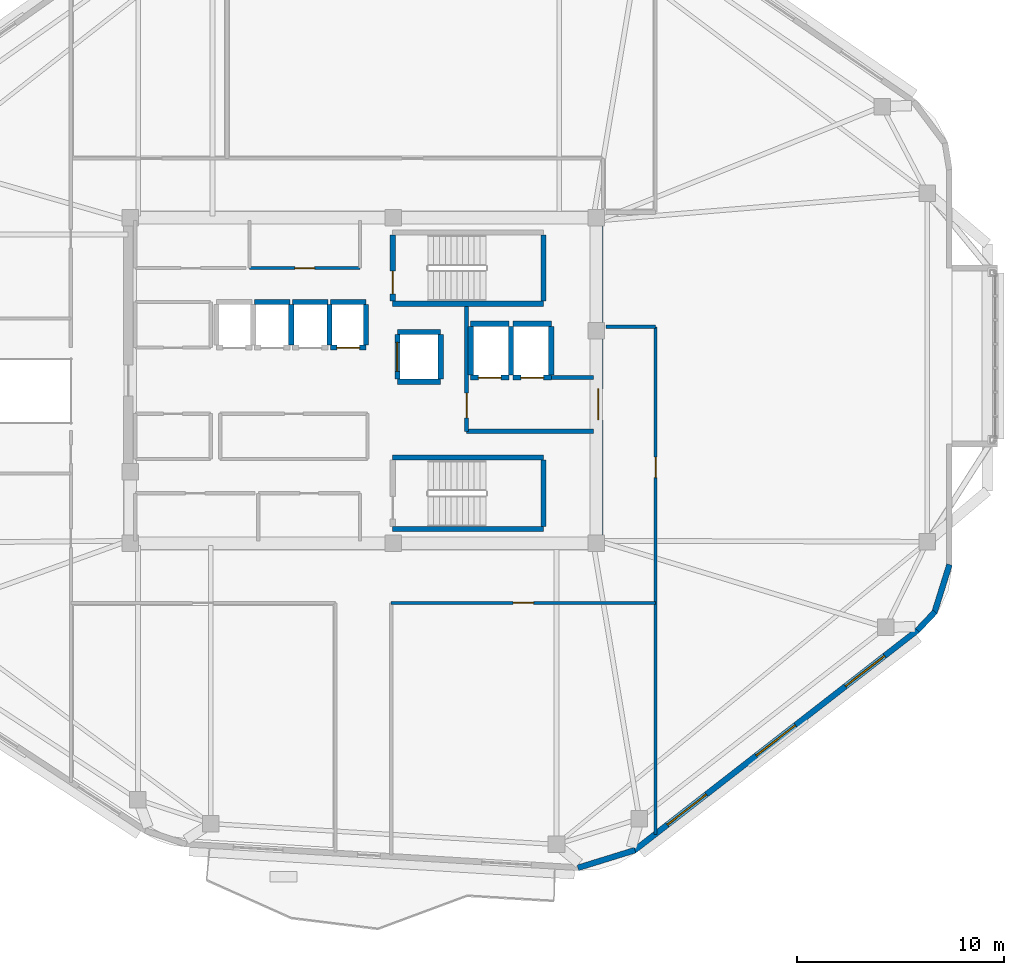
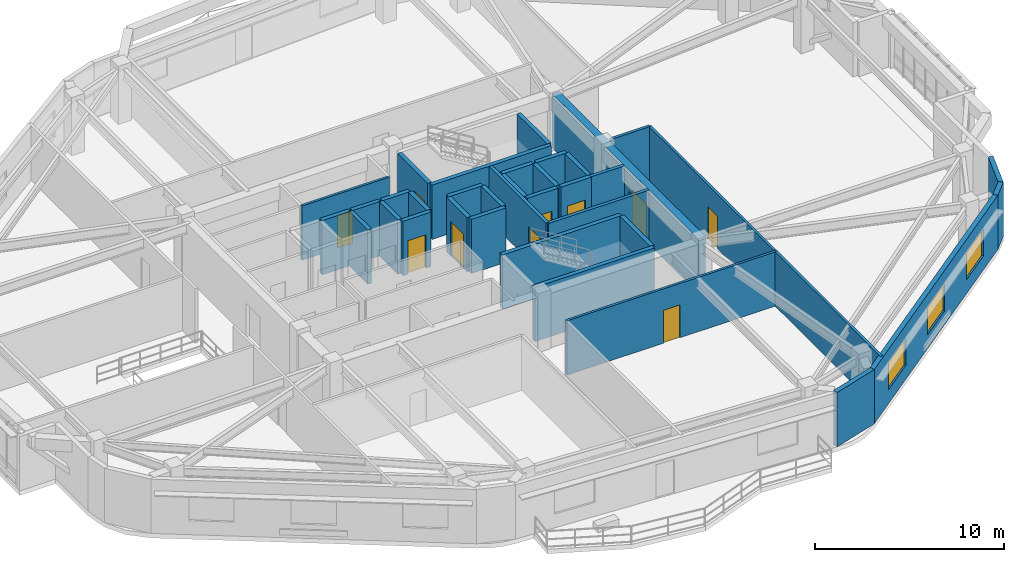
# One storey, part 12 of 16: 36 walls, 10 doors, 3 windows, 13 openings.
"""IFC4 building model written with IfcOpenShell, lengths in metres."""

import ifcopenshell
import ifcopenshell.guid

model = None  # the IFC model being written
_history = None  # IfcOwnerHistory: only IFC2X3 demands one
_inside = {}  # id of a spatial element -> (the spatial element, [elements in it])
_under = {}  # id of a project, library or spatial element -> (it, [spatial elements below it])
_declared = {}  # id of a project -> (the project, [libraries it declares])
_typed = {}  # id of a type object -> (the type object, [elements of that type])
_made_of = {}  # id of a material, layer set ... -> (it, [elements and type objects made of it])


def new_model(schema):
    """Start an empty IFC model of exactly this schema.

    Asked for "IFC4X3", IfcOpenShell would pick the latest addendum, in which some entities
    have other attributes; the version numbers below select the first issue.
    IFC2X3 requires an IfcOwnerHistory on every rooted entity: one is made here for all.
    """
    global model, _history
    if schema == "IFC4X3":
        model = ifcopenshell.file(schema_version=(4, 3, 0, 0))
    else:
        model = ifcopenshell.file(schema=schema)
    _inside.clear()
    _under.clear()
    _declared.clear()
    _typed.clear()
    _made_of.clear()
    _history = None
    if model.schema == "IFC2X3":
        org = make("IfcOrganization", Name="unknown")
        user = make(
            "IfcPersonAndOrganization",
            ThePerson=make("IfcPerson", FamilyName="unknown"),
            TheOrganization=org,
        )
        app = make(
            "IfcApplication",
            ApplicationDeveloper=org,
            Version="unknown",
            ApplicationFullName="unknown",
            ApplicationIdentifier="unknown",
        )
        _history = make(
            "IfcOwnerHistory",
            OwningUser=user,
            OwningApplication=app,
            ChangeAction="ADDED",
            CreationDate=0,
        )
    return model


def make(cls, **values):
    """One entity of the class cls with the attributes given. An attribute that is None is left unset."""
    return model.create_entity(
        cls, **{name: value for name, value in values.items() if value is not None}
    )


def rooted(cls, **values):
    """An entity with a GlobalId (a new one), such as an element, a storey or a relation."""
    return make(cls, GlobalId=ifcopenshell.guid.new(), OwnerHistory=_history, **values)


def si_unit(unit_type, name, prefix=None):
    """IfcSIUnit, for example si_unit("LENGTHUNIT", "METRE", prefix="MILLI")."""
    return make("IfcSIUnit", UnitType=unit_type, Prefix=prefix, Name=name)


def assignment(units):
    """IfcUnitAssignment: the units of a project."""
    return None if units is None else make("IfcUnitAssignment", Units=units)


def point(xyz):
    """IfcCartesianPoint."""
    return None if xyz is None else make("IfcCartesianPoint", Coordinates=xyz)


def direction(xyz):
    """IfcDirection."""
    return None if xyz is None else make("IfcDirection", DirectionRatios=xyz)


def frame(location, z_axis=None, x_axis=None):
    """IfcAxis2Placement3D, a coordinate frame: its origin and axes. An axis left out is left unset."""
    return make(
        "IfcAxis2Placement3D",
        Location=point(location),
        Axis=direction(z_axis),
        RefDirection=direction(x_axis),
    )


def frame_2d(location, x_axis=None):
    """IfcAxis2Placement2D, a coordinate frame in the plane: its origin and x axis."""
    return make(
        "IfcAxis2Placement2D", Location=point(location), RefDirection=direction(x_axis)
    )


def origin():
    """The frame at (0, 0, 0) with its axes left unset."""
    return frame((0.0, 0.0, 0.0))


def place(relative_to, where):
    """IfcLocalPlacement: puts the frame where relative to a parent placement (None: the world)."""
    return make(
        "IfcLocalPlacement", PlacementRelTo=relative_to, RelativePlacement=where
    )


def context(
    kind, dimensions, precision=None, world=None, true_north=None, identifier=None
):
    """IfcGeometricRepresentationContext, for example the 3D "Model" context."""
    return make(
        "IfcGeometricRepresentationContext",
        ContextIdentifier=identifier,
        ContextType=kind,
        CoordinateSpaceDimension=dimensions,
        Precision=precision,
        WorldCoordinateSystem=world,
        TrueNorth=true_north,
    )


def subcontext(parent, identifier, kind, view, scale=None):
    """IfcGeometricRepresentationSubContext, for example "Body" below "Model"."""
    return make(
        "IfcGeometricRepresentationSubContext",
        ContextIdentifier=identifier,
        ContextType=kind,
        ParentContext=parent,
        TargetScale=scale,
        TargetView=view,
    )


def project(units=None, contexts=None):
    """IfcProject with its units and contexts."""
    return rooted(
        "IfcProject",
        Name="project",
        RepresentationContexts=contexts,
        UnitsInContext=assignment(units),
    )


def spatial(cls, under=None, at=None, **own):
    """A site, building, storey or space (cls), placed at a placement, below another one or the project."""
    s = rooted(cls, ObjectPlacement=at, **own)
    if under is not None:
        _under.setdefault(under.id(), (under, []))[1].append(s)
    return s


def profile(cls, at=None, kind="AREA", **sizes):
    """A parametric profile (cls). Its sizes go by their IFC names, for example OverallWidth=200.0."""
    return make(cls, ProfileType=kind, Position=at, **sizes)


def rectangle(**sizes):
    """IfcRectangleProfileDef."""
    return profile("IfcRectangleProfileDef", **sizes)


def extrude(swept, where, along, depth):
    """IfcExtrudedAreaSolid: the profile swept, set in the frame where, extruded along a direction by depth."""
    return make(
        "IfcExtrudedAreaSolid",
        SweptArea=swept,
        Position=where,
        ExtrudedDirection=direction(along),
        Depth=depth,
    )


def shape(context_of_items, identifier, shape_type, items):
    """IfcShapeRepresentation: the items that make up one representation, for example the "Body"."""
    return make(
        "IfcShapeRepresentation",
        ContextOfItems=context_of_items,
        RepresentationIdentifier=identifier,
        RepresentationType=shape_type,
        Items=items,
    )


def material(Name=None, Category=None):
    """IfcMaterial."""
    return make("IfcMaterial", Name=Name, Category=Category)


def layer(
    of_material, thickness, ventilated=None, Name=None, Category=None, Priority=None
):
    """IfcMaterialLayer: one layer of a wall or slab, of a material (None: an air gap)."""
    return make(
        "IfcMaterialLayer",
        Material=of_material,
        LayerThickness=thickness,
        IsVentilated=ventilated,
        Name=Name,
        Category=Category,
        Priority=Priority,
    )


def layer_set(layers, Name=None):
    """IfcMaterialLayerSet."""
    return make("IfcMaterialLayerSet", MaterialLayers=layers, LayerSetName=Name)


def made_of(thing, what):
    """Note that an element or type object is made of a material, layer set ...; save() writes the relation."""
    if what is not None:
        _made_of.setdefault(what.id(), (what, []))[1].append(thing)
    return thing


def type_object(cls, material=None, **own):
    """A type object (cls), such as IfcWallType, which elements share."""
    return made_of(rooted(cls, **own), material)


def element(
    cls,
    number,
    at=None,
    inside=None,
    cuts=None,
    type_object=None,
    material=None,
    context=None,
    identifier="Body",
    shape_type=None,
    held_by="IfcProductDefinitionShape",
    body=None,
    shapes=None,
    **own,
):
    """One element of the class cls, such as IfcWall. Its Tag is "e" and its number.

    at: its placement. inside: the storey or other place that contains it. cuts: it is an
    opening in that element (IfcRelVoidsElement). A single representation is given by context,
    identifier, shape_type and body (its items); several are given by shapes. held_by: the class
    of the entity that holds the representations. save() writes the other relations.
    """
    e = rooted(cls, Tag="e%d" % number, ObjectPlacement=at, **own)
    if body is not None:
        shapes = [shape(context, identifier, shape_type, body)]
    if shapes is not None:
        e.Representation = make(held_by, Representations=shapes)
    if inside is not None:
        _inside.setdefault(inside.id(), (inside, []))[1].append(e)
    if cuts is not None:
        rooted(
            "IfcRelVoidsElement", RelatingBuildingElement=cuts, RelatedOpeningElement=e
        )
    if type_object is not None:
        _typed.setdefault(type_object.id(), (type_object, []))[1].append(e)
    return made_of(e, material)


def fill(opening, filler):
    """IfcRelFillsElement: the door or window that sits in an opening."""
    return rooted(
        "IfcRelFillsElement",
        RelatingOpeningElement=opening,
        RelatedBuildingElement=filler,
    )


def aggregate(whole, parts):
    """IfcRelAggregates: a whole, such as a stair, and the parts it consists of."""
    return rooted("IfcRelAggregates", RelatingObject=whole, RelatedObjects=parts)


def save(model, path):
    """Write the relations noted so far, then the file.

    IfcRelAggregates (storeys below a building ...), IfcRelContainedInSpatialStructure (elements
    in a storey), IfcRelDefinesByType, IfcRelAssociatesMaterial and IfcRelDeclares: one each for
    every whole, place, type object, material and project.
    """
    for whole, parts in _under.values():
        aggregate(whole, parts)
    for where, things in _inside.values():
        rooted(
            "IfcRelContainedInSpatialStructure",
            RelatedElements=things,
            RelatingStructure=where,
        )
    for kind, things in _typed.values():
        rooted("IfcRelDefinesByType", RelatedObjects=things, RelatingType=kind)
    for what, things in _made_of.values():
        rooted("IfcRelAssociatesMaterial", RelatedObjects=things, RelatingMaterial=what)
    for by, libraries in _declared.values():
        rooted("IfcRelDeclares", RelatingContext=by, RelatedDefinitions=libraries)
    model.write(path)


model = new_model("IFC4")

# Units and contexts
model_context = context("Model", 3, precision=1e-05, world=origin(), true_north=direction((0.0, 1.0)))
body_context = subcontext(model_context, "Body", "Model", "MODEL_VIEW")
ifc_project = project(units=[si_unit("LENGTHUNIT", "METRE"), si_unit("AREAUNIT", "SQUARE_METRE"), si_unit("VOLUMEUNIT", "CUBIC_METRE"), si_unit("PLANEANGLEUNIT", "RADIAN"), si_unit("MASSUNIT", "GRAM", prefix="KILO")], contexts=[model_context])

# Site, building, storey
site_placement = place(None, origin())
site = spatial("IfcSite", under=ifc_project, at=site_placement, CompositionType="ELEMENT")
building_placement = place(site_placement, origin())
building = spatial("IfcBuilding", under=site, at=building_placement, Name="Zulverin Broadcast Headquarters", CompositionType="ELEMENT")
storey_placement = place(building_placement, frame((0.0, 0.0, 228.800048828125)))
storey = spatial("IfcBuildingStorey", under=building, at=storey_placement, Name="L58", CompositionType="ELEMENT", Elevation=228.800048828125)

# Wall, opening, door
ifc_material_1 = material(Name="Concrete C50/60", Category="concrete")
ifc_layer_1 = layer(ifc_material_1, 0.449951171875, Name="Concrete C50/60", Category="concrete")
ifc_layer_set_1 = layer_set([ifc_layer_1], Name="Concrete C50/60")
wall_type_1 = type_object("IfcWallType", Name="WL-CORE-450", PredefinedType="SHEAR", material=ifc_layer_set_1)
wall_1_placement = place(storey_placement, frame((48.375, 17.449951171875, 0.0), z_axis=(0.0, 0.0, 1.0), x_axis=(0.0, 1.0, 0.0)))
wall_1 = element("IfcWall", 1, at=wall_1_placement, inside=storey, type_object=wall_type_1, Name="L58 Core East Shear Wall", PredefinedType="SHEAR", context=body_context, shape_type="SweptSolid", body=[
    extrude(rectangle(XDim=15.5, YDim=0.449951171875, at=frame_2d((7.75, 0.0))), origin(), (0.0, 0.0, 1.0), 3.510009765625),
])
opening_1_placement = place(wall_1_placement, frame((5.85009765625, 0.0, 0.0)))
opening_1 = element("IfcOpeningElement", 2, at=opening_1_placement, cuts=wall_1, Name="Opening D-L58-CE1", PredefinedType="OPENING", context=body_context, shape_type="SweptSolid", body=[
    extrude(rectangle(XDim=1.5, YDim=2.14990234375, at=frame_2d((0.75, 1.074951171875))), frame((0.0, 0.23486328125, 0.0), z_axis=(0.0, -1.0, 0.0), x_axis=(1.0, 0.0, 0.0)), (0.0, 0.0, 1.0), 0.469970703125),
])
ifc_material_2 = material(Name="Fire-rated glazed steel frame", Category="steel")
door_type_1 = type_object("IfcDoorType", Name="DR-COR-1500", OperationType="DOUBLE_DOOR_SINGLE_SWING", PredefinedType="DOOR", material=ifc_material_2)
door_1_placement = place(opening_1_placement, origin())
door_1 = element("IfcDoor", 3, at=door_1_placement, inside=storey, type_object=door_type_1, Name="L58 Firefighting Lobby East Corridor Door", OperationType="DOUBLE_DOOR_SINGLE_SWING", OverallHeight=2.14990234375, OverallWidth=1.5, PredefinedType="DOOR", context=body_context, shape_type="SweptSolid", body=[
    extrude(rectangle(XDim=1.5, YDim=2.14990234375, at=frame_2d((0.75, 1.074951171875))), frame((0.0, 0.02490234375, 0.0), z_axis=(0.0, -1.0, 0.0), x_axis=(1.0, 0.0, 0.0)), (0.0, 0.0, 1.0), 0.050048828125),
])
fill(opening_1, door_1)

# Wall, openings, windows
ifc_material_3 = material(Name="Insulated pale-metal clad concrete spandrel C40/50", Category="concrete")
ifc_layer_2 = layer(ifc_material_3, 0.280029296875, Name="Insulated pale-metal clad concrete spandrel C40/50", Category="concrete")
ifc_layer_set_2 = layer_set([ifc_layer_2], Name="Insulated pale-metal clad concrete spandrel C40/50")
wall_type_2 = type_object("IfcWallType", Name="WL-EXT-280", PredefinedType="STANDARD", material=ifc_layer_set_2)
wall_2_placement = place(storey_placement, frame((50.10400390625, 2.458984375, 0.0), z_axis=(0.0, 0.0, 1.0), x_axis=(0.789464857485, 0.613795763097, 0.0)))
wall_2 = element("IfcWall", 4, at=wall_2_placement, inside=storey, type_object=wall_type_2, Name="L58 Pale-Metal Clad Spandrel Wall 2", PredefinedType="STANDARD", context=body_context, shape_type="SweptSolid", body=[
    extrude(rectangle(XDim=17.387451171875, YDim=0.280029296875, at=frame_2d((8.69384765625, 0.0))), origin(), (0.0, 0.0, 1.0), 3.510009765625),
])
opening_2_placement = place(wall_2_placement, frame((2.03125, 0.0, 0.89990234375)))
opening_2 = element("IfcOpeningElement", 5, at=opening_2_placement, cuts=wall_2, Name="Opening W-L58-E21", PredefinedType="OPENING", context=body_context, shape_type="SweptSolid", body=[
    extrude(rectangle(XDim=2.39990234375, YDim=1.75, at=frame_2d((1.199951171875, 0.875))), frame((0.0, 0.14990234375, 0.0), z_axis=(0.0, -1.0, 0.0), x_axis=(1.0, 0.0, 0.0)), (0.0, 0.0, 1.0), 0.300048828125),
])
opening_3_placement = place(wall_2_placement, frame((7.49365234375, 0.0, 0.89990234375)))
opening_3 = element("IfcOpeningElement", 6, at=opening_3_placement, cuts=wall_2, Name="Opening W-L58-E22", PredefinedType="OPENING", context=body_context, shape_type="SweptSolid", body=[
    extrude(rectangle(XDim=2.39990234375, YDim=1.75, at=frame_2d((1.199951171875, 0.875))), frame((0.0, 0.14990234375, 0.0), z_axis=(0.0, -1.0, 0.0), x_axis=(1.0, 0.0, 0.0)), (0.0, 0.0, 1.0), 0.300048828125),
])
opening_4_placement = place(wall_2_placement, frame((12.956298828125, 0.0, 0.89990234375)))
opening_4 = element("IfcOpeningElement", 7, at=opening_4_placement, cuts=wall_2, Name="Opening W-L58-E23", PredefinedType="OPENING", context=body_context, shape_type="SweptSolid", body=[
    extrude(rectangle(XDim=2.39990234375, YDim=1.75, at=frame_2d((1.199951171875, 0.875))), frame((0.0, 0.14990234375, 0.0), z_axis=(0.0, -1.0, 0.0), x_axis=(1.0, 0.0, 0.0)), (0.0, 0.0, 1.0), 0.300048828125),
])
ifc_material_4 = material(Name="Pale anodized aluminium frame with solar-control low-E double glazing", Category="aluminium")
window_type = type_object("IfcWindowType", Name="WIN-RIB-2400", PartitioningType="SINGLE_PANEL", PredefinedType="WINDOW", material=ifc_material_4)
window_1_placement = place(opening_2_placement, origin())
window_1 = element("IfcWindow", 8, at=window_1_placement, inside=storey, type_object=window_type, Name="L58 Ribbon Glazing Window 2 1", OverallHeight=1.75, OverallWidth=2.39990234375, PartitioningType="SINGLE_PANEL", PredefinedType="WINDOW", context=body_context, shape_type="SweptSolid", body=[
    extrude(rectangle(XDim=2.39990234375, YDim=1.75, at=frame_2d((1.199951171875, 0.875))), frame((0.0, 0.030029296875, 0.0), z_axis=(0.0, -1.0, 0.0), x_axis=(1.0, 0.0, 0.0)), (0.0, 0.0, 1.0), 0.06005859375),
])
fill(opening_2, window_1)
window_2_placement = place(opening_3_placement, origin())
window_2 = element("IfcWindow", 9, at=window_2_placement, inside=storey, type_object=window_type, Name="L58 Ribbon Glazing Window 2 2", OverallHeight=1.75, OverallWidth=2.39990234375, PartitioningType="SINGLE_PANEL", PredefinedType="WINDOW", context=body_context, shape_type="SweptSolid", body=[
    extrude(rectangle(XDim=2.39990234375, YDim=1.75, at=frame_2d((1.199951171875, 0.875))), frame((0.0, 0.030029296875, 0.0), z_axis=(0.0, -1.0, 0.0), x_axis=(1.0, 0.0, 0.0)), (0.0, 0.0, 1.0), 0.06005859375),
])
fill(opening_3, window_2)
window_3_placement = place(opening_4_placement, origin())
window_3 = element("IfcWindow", 10, at=window_3_placement, inside=storey, type_object=window_type, Name="L58 Ribbon Glazing Window 2 3", OverallHeight=1.75, OverallWidth=2.39990234375, PartitioningType="SINGLE_PANEL", PredefinedType="WINDOW", context=body_context, shape_type="SweptSolid", body=[
    extrude(rectangle(XDim=2.39990234375, YDim=1.75, at=frame_2d((1.199951171875, 0.875))), frame((0.0, 0.030029296875, 0.0), z_axis=(0.0, -1.0, 0.0), x_axis=(1.0, 0.0, 0.0)), (0.0, 0.0, 1.0), 0.06005859375),
])
fill(opening_4, window_3)

# Walls
wall_3_placement = place(storey_placement, frame((47.38623046875, 1.626220703125, 0.0), z_axis=(0.0, 0.0, 1.0), x_axis=(0.955189316149, 0.29599555793, 0.0)))
element("IfcWall", 11, at=wall_3_placement, inside=storey, type_object=wall_type_2, Name="L58 Wind-Shaped Corner Spandrel Wall 1-1", PredefinedType="STANDARD", context=body_context, shape_type="SweptSolid", body=[
    extrude(rectangle(XDim=2.891845703125, YDim=0.280029296875, at=frame_2d((1.44580078125, 0.0))), origin(), (0.0, 0.0, 1.0), 3.510009765625),
])
wall_4_placement = place(storey_placement, frame((63.81494140625, 13.1171875, 0.0), z_axis=(0.0, 0.0, 1.0), x_axis=(0.687733716128, 0.725963040176, 0.0)))
element("IfcWall", 12, at=wall_4_placement, inside=storey, type_object=wall_type_2, Name="L58 Wind-Shaped Corner Spandrel Wall 2-1", PredefinedType="STANDARD", context=body_context, shape_type="SweptSolid", body=[
    extrude(rectangle(XDim=1.239013671875, YDim=0.280029296875, at=frame_2d((0.61962890625, 0.0))), origin(), (0.0, 0.0, 1.0), 3.510009765625),
])
wall_5_placement = place(storey_placement, frame((64.635009765625, 13.962158203125, 0.0), z_axis=(0.0, 0.0, 1.0), x_axis=(0.298649578722, 0.954362839348, 0.0)))
element("IfcWall", 13, at=wall_5_placement, inside=storey, type_object=wall_type_2, Name="L58 Wind-Shaped Corner Spandrel Wall 2-2", PredefinedType="STANDARD", context=body_context, shape_type="SweptSolid", body=[
    extrude(rectangle(XDim=2.44921875, YDim=0.280029296875, at=frame_2d((1.224609375, 0.0))), origin(), (0.0, 0.0, 1.0), 3.510009765625),
])

# Wall, opening, door
ifc_material_5 = material(Name="Concrete C40/50", Category="concrete")
ifc_layer_3 = layer(ifc_material_5, 0.199951171875, Name="Concrete C40/50", Category="concrete")
ifc_layer_set_3 = layer_set([ifc_layer_3], Name="Concrete C40/50")
wall_type_3 = type_object("IfcWallType", Name="WL-FFL-200", PredefinedType="SOLIDWALL", material=ifc_layer_set_3)
wall_6_placement = place(storey_placement, frame((42.0, 22.75, 0.0), z_axis=(0.0, 0.0, 1.0), x_axis=(0.0, 1.0, 0.0)))
wall_6 = element("IfcWall", 14, at=wall_6_placement, inside=storey, type_object=wall_type_3, Name="L58 Firefighting Lift Lobby West Wall", PredefinedType="SOLIDWALL", context=body_context, shape_type="SweptSolid", body=[
    extrude(rectangle(XDim=6.050048828125, YDim=0.199951171875, at=frame_2d((3.02490234375, 0.0))), origin(), (0.0, 0.0, 1.0), 3.510009765625),
])
opening_5_placement = place(wall_6_placement, frame((0.64990234375, 0.0, 0.0)))
opening_5 = element("IfcOpeningElement", 15, at=opening_5_placement, cuts=wall_6, Name="Opening D-L58-FFLW", PredefinedType="OPENING", context=body_context, shape_type="SweptSolid", body=[
    extrude(rectangle(XDim=1.199951171875, YDim=2.14990234375, at=frame_2d((0.60009765625, 1.074951171875))), frame((0.0, 0.10986328125, 0.0), z_axis=(0.0, -1.0, 0.0), x_axis=(1.0, 0.0, 0.0)), (0.0, 0.0, 1.0), 0.219970703125),
])
ifc_material_6 = material(Name="Fire-rated steel leaf and frame", Category="steel")
door_type_2 = type_object("IfcDoorType", Name="DR-FFL-1200", OperationType="SINGLE_SWING_RIGHT", PredefinedType="DOOR", material=ifc_material_6)
door_2_placement = place(opening_5_placement, origin())
door_2 = element("IfcDoor", 16, at=door_2_placement, inside=storey, type_object=door_type_2, Name="L58 Firefighting Lift Lobby Door", OperationType="SINGLE_SWING_RIGHT", OverallHeight=2.14990234375, OverallWidth=1.199951171875, PredefinedType="DOOR", context=body_context, shape_type="SweptSolid", body=[
    extrude(rectangle(XDim=1.199951171875, YDim=2.14990234375, at=frame_2d((0.60009765625, 1.074951171875))), frame((0.0, 0.02490234375, 0.0), z_axis=(0.0, -1.0, 0.0), x_axis=(1.0, 0.0, 0.0)), (0.0, 0.0, 1.0), 0.050048828125),
])
fill(opening_5, door_2)

# Walls
wall_7_placement = place(storey_placement, frame((42.0, 22.75, 0.0), z_axis=(0.0, 0.0, 1.0), x_axis=(1.0, 0.0, 0.0)))
element("IfcWall", 17, at=wall_7_placement, inside=storey, type_object=wall_type_3, Name="L58 Firefighting Lift Lobby South Wall", PredefinedType="SOLIDWALL", context=body_context, shape_type="SweptSolid", body=[
    extrude(rectangle(XDim=6.14990234375, YDim=0.199951171875, at=frame_2d((3.074951171875, 0.0))), origin(), (0.0, 0.0, 1.0), 3.510009765625),
])
wall_8_placement = place(storey_placement, frame((46.10009765625, 25.35009765625, 0.0), z_axis=(0.0, 0.0, 1.0), x_axis=(1.0, 0.0, 0.0)))
element("IfcWall", 18, at=wall_8_placement, inside=storey, type_object=wall_type_3, Name="L58 Firefighting Lift Lobby North Wall", PredefinedType="SOLIDWALL", context=body_context, shape_type="SweptSolid", body=[
    extrude(rectangle(XDim=2.0498046875, YDim=0.199951171875, at=frame_2d((1.02490234375, 0.0))), origin(), (0.0, 0.0, 1.0), 3.510009765625),
])

# Wall, opening, door
ifc_material_7 = material(Name="Fire-rated gypsum stud partition", Category="gypsum")
ifc_layer_4 = layer(ifc_material_7, 0.14990234375, Name="Fire-rated gypsum stud partition", Category="gypsum")
ifc_layer_set_4 = layer_set([ifc_layer_4], Name="Fire-rated gypsum stud partition")
wall_type_4 = type_object("IfcWallType", Name="WL-PART-150", PredefinedType="PARTITIONING", material=ifc_layer_set_4)
wall_9_placement = place(storey_placement, frame((31.489990234375, 30.64990234375, 0.0), z_axis=(0.0, 0.0, 1.0), x_axis=(1.0, 0.0, 0.0)))
wall_9 = element("IfcWall", 19, at=wall_9_placement, inside=storey, type_object=wall_type_4, Name="L58 Core Accessible WC Front Wall", PredefinedType="PARTITIONING", context=body_context, shape_type="SweptSolid", body=[
    extrude(rectangle(XDim=5.360107421875, YDim=0.14990234375, at=frame_2d((2.68017578125, 0.0))), origin(), (0.0, 0.0, 1.0), 3.510009765625),
])
opening_6_placement = place(wall_9_placement, frame((2.205078125, 0.0, 0.0)))
opening_6 = element("IfcOpeningElement", 20, at=opening_6_placement, cuts=wall_9, Name="Opening D-L58-NC2", PredefinedType="OPENING", context=body_context, shape_type="SweptSolid", body=[
    extrude(rectangle(XDim=0.949951171875, YDim=2.10009765625, at=frame_2d((0.47509765625, 1.050048828125))), frame((0.0, 0.0849609375, 0.0), z_axis=(0.0, -1.0, 0.0), x_axis=(1.0, 0.0, 0.0)), (0.0, 0.0, 1.0), 0.169921875),
])
ifc_material_8 = material(Name="Fire-rated moisture-resistant laminate leaf", Category="wood")
door_type_3 = type_object("IfcDoorType", Name="DR-WC-950", OperationType="SINGLE_SWING_LEFT", PredefinedType="DOOR", material=ifc_material_8)
door_3_placement = place(opening_6_placement, origin())
door_3 = element("IfcDoor", 21, at=door_3_placement, inside=storey, type_object=door_type_3, Name="L58 Accessible WC Door", OperationType="SINGLE_SWING_RIGHT", OverallHeight=2.10009765625, OverallWidth=0.949951171875, PredefinedType="DOOR", context=body_context, shape_type="SweptSolid", body=[
    extrude(rectangle(XDim=0.949951171875, YDim=2.10009765625, at=frame_2d((0.47509765625, 1.050048828125))), frame((0.0, 0.02490234375, 0.0), z_axis=(0.0, -1.0, 0.0), x_axis=(1.0, 0.0, 0.0)), (0.0, 0.0, 1.0), 0.050048828125),
])
fill(opening_6, door_3)

wall_10_placement = place(storey_placement, frame((51.14990234375, 3.23486328125, 0.0), z_axis=(0.0, 0.0, 1.0), x_axis=(0.0, 1.0, 0.0)))
wall_10 = element("IfcWall", 22, at=wall_10_placement, inside=storey, type_object=wall_type_4, Name="L58 Gallery Partition Wall CG-01", PredefinedType="PARTITIONING", context=body_context, shape_type="SweptSolid", body=[
    extrude(rectangle(XDim=24.565185546875, YDim=0.14990234375, at=frame_2d((12.28271484375, 0.0))), origin(), (0.0, 0.0, 1.0), 3.510009765625),
])
opening_7_placement = place(wall_10_placement, frame((17.27001953125, 0.0, 0.0)))
opening_7 = element("IfcOpeningElement", 23, at=opening_7_placement, cuts=wall_10, Name="Opening D-L58-08", PredefinedType="OPENING", context=body_context, shape_type="SweptSolid", body=[
    extrude(rectangle(XDim=1.0, YDim=2.1201171875, at=frame_2d((0.5, 1.06005859375))), frame((0.0, 0.0849609375, 0.0), z_axis=(0.0, -1.0, 0.0), x_axis=(1.0, 0.0, 0.0)), (0.0, 0.0, 1.0), 0.169921875),
])
ifc_material_9 = material(Name="Hardwood veneer acoustic leaf", Category="wood")
door_type_4 = type_object("IfcDoorType", Name="DR-OFF-1000", OperationType="SINGLE_SWING_LEFT", PredefinedType="DOOR", material=ifc_material_9)
door_4_placement = place(opening_7_placement, origin())
door_4 = element("IfcDoor", 24, at=door_4_placement, inside=storey, type_object=door_type_4, Name="L58 Executive Producer Office Door", OperationType="SINGLE_SWING_LEFT", OverallHeight=2.1201171875, OverallWidth=1.0, PredefinedType="DOOR", context=body_context, shape_type="SweptSolid", body=[
    extrude(rectangle(XDim=1.0, YDim=2.1201171875, at=frame_2d((0.5, 1.06005859375))), frame((0.0, 0.02490234375, 0.0), z_axis=(0.0, -1.0, 0.0), x_axis=(1.0, 0.0, 0.0)), (0.0, 0.0, 1.0), 0.050048828125),
])
fill(opening_7, door_4)

wall_11_placement = place(storey_placement, frame((38.35009765625, 14.449951171875, 0.0), z_axis=(0.0, 0.0, 1.0), x_axis=(1.0, 0.0, 0.0)))
wall_11 = element("IfcWall", 25, at=wall_11_placement, inside=storey, type_object=wall_type_4, Name="L58 Gallery Partition Wall CG-10", PredefinedType="PARTITIONING", context=body_context, shape_type="SweptSolid", body=[
    extrude(rectangle(XDim=12.7998046875, YDim=0.14990234375, at=frame_2d((6.39990234375, 0.0))), origin(), (0.0, 0.0, 1.0), 3.510009765625),
])
opening_8_placement = place(wall_11_placement, frame((5.89990234375, 0.0, 0.0)))
opening_8 = element("IfcOpeningElement", 26, at=opening_8_placement, cuts=wall_11, Name="Opening D-L58-04", PredefinedType="OPENING", context=body_context, shape_type="SweptSolid", body=[
    extrude(rectangle(XDim=1.0, YDim=2.1201171875, at=frame_2d((0.5, 1.06005859375))), frame((0.0, 0.0849609375, 0.0), z_axis=(0.0, -1.0, 0.0), x_axis=(1.0, 0.0, 0.0)), (0.0, 0.0, 1.0), 0.169921875),
])
door_5_placement = place(opening_8_placement, origin())
door_5 = element("IfcDoor", 27, at=door_5_placement, inside=storey, type_object=door_type_4, Name="L58 Planning Office Door", OperationType="SINGLE_SWING_LEFT", OverallHeight=2.1201171875, OverallWidth=1.0, PredefinedType="DOOR", context=body_context, shape_type="SweptSolid", body=[
    extrude(rectangle(XDim=1.0, YDim=2.1201171875, at=frame_2d((0.5, 1.06005859375))), frame((0.0, 0.02490234375, 0.0), z_axis=(0.0, -1.0, 0.0), x_axis=(1.0, 0.0, 0.0)), (0.0, 0.0, 1.0), 0.050048828125),
])
fill(opening_8, door_5)

# Walls
ifc_material_10 = material(Name="Fire-rated acoustic stud wall", Category="gypsum")
ifc_layer_5 = layer(ifc_material_10, 0.175048828125, Name="Fire-rated acoustic stud wall", Category="gypsum")
ifc_layer_set_5 = layer_set([ifc_layer_5], Name="Fire-rated acoustic stud wall")
wall_type_5 = type_object("IfcWallType", Name="WL-PART-175", PredefinedType="PARTITIONING", material=ifc_layer_set_5)
wall_12_placement = place(storey_placement, frame((48.739990234375, 27.800048828125, 0.0), z_axis=(0.0, 0.0, 1.0), x_axis=(1.0, 0.0, 0.0)))
element("IfcWall", 28, at=wall_12_placement, inside=storey, type_object=wall_type_5, Name="L58 Gallery Partition Wall CG-12", PredefinedType="PARTITIONING", context=body_context, shape_type="SweptSolid", body=[
    extrude(rectangle(XDim=2.409912109375, YDim=0.175048828125, at=frame_2d((1.205078125, 0.0))), origin(), (0.0, 0.0, 1.0), 3.510009765625),
])
ifc_layer_6 = layer(ifc_material_1, 0.25, Name="Concrete C50/60", Category="concrete")
ifc_layer_set_6 = layer_set([ifc_layer_6], Name="Concrete C50/60")
wall_type_6 = type_object("IfcWallType", Name="WL-SHAFT-250", PredefinedType="SHEAR", material=ifc_layer_set_6)
wall_13_placement = place(storey_placement, frame((38.425048828125, 28.925048828125, 0.0), z_axis=(0.0, 0.0, 1.0), x_axis=(1.0, 0.0, 0.0)))
element("IfcWall", 29, at=wall_13_placement, inside=storey, type_object=wall_type_6, Name="L58 ST-1 Enclosure Wall S", PredefinedType="SHEAR", context=body_context, shape_type="SweptSolid", body=[
    extrude(rectangle(XDim=7.300048828125, YDim=0.25, at=frame_2d((3.64990234375, 0.0))), origin(), (0.0, 0.0, 1.0), 3.510009765625),
])

# Wall, opening, door
wall_14_placement = place(storey_placement, frame((38.425048828125, 29.050048828125, 0.0), z_axis=(0.0, 0.0, 1.0), x_axis=(0.0, 1.0, 0.0)))
wall_14 = element("IfcWall", 30, at=wall_14_placement, inside=storey, type_object=wall_type_6, Name="L58 ST-1 Enclosure Wall W", PredefinedType="SHEAR", context=body_context, shape_type="SweptSolid", body=[
    extrude(rectangle(XDim=3.199951171875, YDim=0.25, at=frame_2d((1.60009765625, 0.0))), origin(), (0.0, 0.0, 1.0), 3.510009765625),
])
opening_9_placement = place(wall_14_placement, frame((0.35009765625, 0.0, 0.0)))
opening_9 = element("IfcOpeningElement", 31, at=opening_9_placement, cuts=wall_14, Name="Opening D-L58-ST-1", PredefinedType="OPENING", context=body_context, shape_type="SweptSolid", body=[
    extrude(rectangle(XDim=1.10009765625, YDim=2.14990234375, at=frame_2d((0.550048828125, 1.074951171875))), frame((0.0, 0.135009765625, 0.0), z_axis=(0.0, -1.0, 0.0), x_axis=(1.0, 0.0, 0.0)), (0.0, 0.0, 1.0), 0.27001953125),
])
door_type_5 = type_object("IfcDoorType", Name="DR-STAIR-1100", OperationType="SINGLE_SWING_LEFT", PredefinedType="DOOR", material=ifc_material_6)
door_6_placement = place(opening_9_placement, origin())
door_6 = element("IfcDoor", 32, at=door_6_placement, inside=storey, type_object=door_type_5, Name="L58 Exit Stair ST-1 Fire Door", OperationType="SINGLE_SWING_LEFT", OverallHeight=2.14990234375, OverallWidth=1.10009765625, PredefinedType="DOOR", context=body_context, shape_type="SweptSolid", body=[
    extrude(rectangle(XDim=1.10009765625, YDim=2.14990234375, at=frame_2d((0.550048828125, 1.074951171875))), frame((0.0, 0.02490234375, 0.0), z_axis=(0.0, -1.0, 0.0), x_axis=(1.0, 0.0, 0.0)), (0.0, 0.0, 1.0), 0.050048828125),
])
fill(opening_9, door_6)

# Walls
wall_15_placement = place(storey_placement, frame((45.72509765625, 29.050048828125, 0.0), z_axis=(0.0, 0.0, 1.0), x_axis=(0.0, 1.0, 0.0)))
element("IfcWall", 33, at=wall_15_placement, inside=storey, type_object=wall_type_6, Name="L58 ST-1 Enclosure Wall E", PredefinedType="SHEAR", context=body_context, shape_type="SweptSolid", body=[
    extrude(rectangle(XDim=3.199951171875, YDim=0.25, at=frame_2d((1.60009765625, 0.0))), origin(), (0.0, 0.0, 1.0), 3.510009765625),
])
for number, where, z_axis, x_axis, name in (
    (34, (38.425048828125, 18.02490234375, 0.0), (0.0, 0.0, 1.0), (1.0, 0.0, 0.0), "L58 ST-2 Enclosure Wall S"),
    (35, (38.425048828125, 21.47509765625, 0.0), (0.0, 0.0, 1.0), (1.0, 0.0, 0.0), "L58 ST-2 Enclosure Wall N"),
):
    element("IfcWall", number, at=place(storey_placement, frame(where, z_axis=z_axis, x_axis=x_axis)), inside=storey, type_object=wall_type_6, Name=name, PredefinedType="SHEAR", context=body_context, shape_type="SweptSolid", body=[
        extrude(rectangle(XDim=7.300048828125, YDim=0.25, at=frame_2d((3.64990234375, 0.0))), origin(), (0.0, 0.0, 1.0), 3.510009765625),
    ])
wall_16_placement = place(storey_placement, frame((45.72509765625, 18.14990234375, 0.0), z_axis=(0.0, 0.0, 1.0), x_axis=(0.0, 1.0, 0.0)))
element("IfcWall", 36, at=wall_16_placement, inside=storey, type_object=wall_type_6, Name="L58 ST-2 Enclosure Wall E", PredefinedType="SHEAR", context=body_context, shape_type="SweptSolid", body=[
    extrude(rectangle(XDim=3.2001953125, YDim=0.25, at=frame_2d((1.60009765625, 0.0))), origin(), (0.0, 0.0, 1.0), 3.510009765625),
])
wall_17_placement = place(storey_placement, frame((31.739990234375, 29.0, 0.0), z_axis=(0.0, 0.0, 1.0), x_axis=(1.0, 0.0, 0.0)))
element("IfcWall", 37, at=wall_17_placement, inside=storey, type_object=wall_type_6, Name="L58 Lift PL-H2 Shaft Wall N", PredefinedType="SHEAR", context=body_context, shape_type="SweptSolid", body=[
    extrude(rectangle(XDim=1.719970703125, YDim=0.25, at=frame_2d((0.85986328125, 0.0))), origin(), (0.0, 0.0, 1.0), 3.510009765625),
])
wall_18_placement = place(storey_placement, frame((33.52001953125, 26.919921875, 0.0), z_axis=(0.0, 0.0, 1.0), x_axis=(0.0, 1.0, 0.0)))
element("IfcWall", 38, at=wall_18_placement, inside=storey, type_object=wall_type_6, Name="L58 Lift PL-H2 Shaft Wall E", PredefinedType="SHEAR", context=body_context, shape_type="SweptSolid", body=[
    extrude(rectangle(XDim=1.9599609375, YDim=0.25, at=frame_2d((0.97998046875, 0.0))), origin(), (0.0, 0.0, 1.0), 3.510009765625),
])
wall_19_placement = place(storey_placement, frame((33.580078125, 29.0, 0.0), z_axis=(0.0, 0.0, 1.0), x_axis=(1.0, 0.0, 0.0)))
element("IfcWall", 39, at=wall_19_placement, inside=storey, type_object=wall_type_6, Name="L58 Lift PL-H3 Shaft Wall N", PredefinedType="SHEAR", context=body_context, shape_type="SweptSolid", body=[
    extrude(rectangle(XDim=1.719970703125, YDim=0.25, at=frame_2d((0.85986328125, 0.0))), origin(), (0.0, 0.0, 1.0), 3.510009765625),
])
wall_20_placement = place(storey_placement, frame((35.360107421875, 26.919921875, 0.0), z_axis=(0.0, 0.0, 1.0), x_axis=(0.0, 1.0, 0.0)))
element("IfcWall", 40, at=wall_20_placement, inside=storey, type_object=wall_type_6, Name="L58 Lift PL-H3 Shaft Wall E", PredefinedType="SHEAR", context=body_context, shape_type="SweptSolid", body=[
    extrude(rectangle(XDim=1.9599609375, YDim=0.25, at=frame_2d((0.97998046875, 0.0))), origin(), (0.0, 0.0, 1.0), 3.510009765625),
])

# Wall, opening, door
wall_21_placement = place(storey_placement, frame((35.419921875, 26.800048828125, 0.0), z_axis=(0.0, 0.0, 1.0), x_axis=(1.0, 0.0, 0.0)))
wall_21 = element("IfcWall", 41, at=wall_21_placement, inside=storey, type_object=wall_type_6, Name="L58 Lift PL-H4 Shaft Wall S", PredefinedType="SHEAR", context=body_context, shape_type="SweptSolid", body=[
    extrude(rectangle(XDim=1.719970703125, YDim=0.25, at=frame_2d((0.85986328125, 0.0))), origin(), (0.0, 0.0, 1.0), 3.510009765625),
])
opening_10_placement = place(wall_21_placement, frame((0.31005859375, 0.0, 0.0)))
opening_10 = element("IfcOpeningElement", 42, at=opening_10_placement, cuts=wall_21, Name="Opening LD-PL-H4-L58", PredefinedType="OPENING", context=body_context, shape_type="SweptSolid", body=[
    extrude(rectangle(XDim=1.10009765625, YDim=2.14990234375, at=frame_2d((0.550048828125, 1.074951171875))), frame((0.0, 0.135009765625, 0.0), z_axis=(0.0, -1.0, 0.0), x_axis=(1.0, 0.0, 0.0)), (0.0, 0.0, 1.0), 0.27001953125),
])
ifc_material_11 = material(Name="Brushed stainless steel landing", Category="steel")
door_type_6 = type_object("IfcDoorType", Name="LD-PASS-1100", OperationType="DOUBLE_DOOR_SLIDING", PredefinedType="DOOR", material=ifc_material_11)
door_7_placement = place(opening_10_placement, origin())
door_7 = element("IfcDoor", 43, at=door_7_placement, inside=storey, type_object=door_type_6, Name="L58 Lift PL-H4 Sliding Landing Door", OperationType="DOUBLE_DOOR_SLIDING", OverallHeight=2.14990234375, OverallWidth=1.10009765625, PredefinedType="DOOR", context=body_context, shape_type="SweptSolid", body=[
    extrude(rectangle(XDim=1.10009765625, YDim=2.14990234375, at=frame_2d((0.550048828125, 1.074951171875))), frame((0.0, 0.02490234375, 0.0), z_axis=(0.0, -1.0, 0.0), x_axis=(1.0, 0.0, 0.0)), (0.0, 0.0, 1.0), 0.050048828125),
])
fill(opening_10, door_7)

# Walls
wall_22_placement = place(storey_placement, frame((35.419921875, 29.0, 0.0), z_axis=(0.0, 0.0, 1.0), x_axis=(1.0, 0.0, 0.0)))
element("IfcWall", 44, at=wall_22_placement, inside=storey, type_object=wall_type_6, Name="L58 Lift PL-H4 Shaft Wall N", PredefinedType="SHEAR", context=body_context, shape_type="SweptSolid", body=[
    extrude(rectangle(XDim=1.719970703125, YDim=0.25, at=frame_2d((0.85986328125, 0.0))), origin(), (0.0, 0.0, 1.0), 3.510009765625),
])
wall_23_placement = place(storey_placement, frame((37.139892578125, 26.919921875, 0.0), z_axis=(0.0, 0.0, 1.0), x_axis=(0.0, 1.0, 0.0)))
element("IfcWall", 45, at=wall_23_placement, inside=storey, type_object=wall_type_6, Name="L58 Lift PL-H4 Shaft Wall E", PredefinedType="SHEAR", context=body_context, shape_type="SweptSolid", body=[
    extrude(rectangle(XDim=1.9599609375, YDim=0.25, at=frame_2d((0.97998046875, 0.0))), origin(), (0.0, 0.0, 1.0), 3.510009765625),
])

# Wall, opening, door
wall_24_placement = place(storey_placement, frame((42.199951171875, 25.35009765625, 0.0), z_axis=(0.0, 0.0, 1.0), x_axis=(1.0, 0.0, 0.0)))
wall_24 = element("IfcWall", 46, at=wall_24_placement, inside=storey, type_object=wall_type_6, Name="L58 Lift FFL-1 Shaft Wall S", PredefinedType="SHEAR", context=body_context, shape_type="SweptSolid", body=[
    extrude(rectangle(XDim=1.85009765625, YDim=0.25, at=frame_2d((0.925048828125, 0.0))), origin(), (0.0, 0.0, 1.0), 3.510009765625),
])
opening_11_placement = place(wall_24_placement, frame((0.375, 0.0, 0.0)))
opening_11 = element("IfcOpeningElement", 47, at=opening_11_placement, cuts=wall_24, Name="Opening LD-FFL-1-L58", PredefinedType="OPENING", context=body_context, shape_type="SweptSolid", body=[
    extrude(rectangle(XDim=1.10009765625, YDim=2.14990234375, at=frame_2d((0.550048828125, 1.074951171875))), frame((0.0, 0.135009765625, 0.0), z_axis=(0.0, -1.0, 0.0), x_axis=(1.0, 0.0, 0.0)), (0.0, 0.0, 1.0), 0.27001953125),
])
ifc_material_12 = material(Name="Fire-rated stainless landing door", Category="steel")
door_type_7 = type_object("IfcDoorType", Name="LD-FFL-1100", OperationType="DOUBLE_DOOR_SLIDING", PredefinedType="DOOR", material=ifc_material_12)
door_8_placement = place(opening_11_placement, origin())
door_8 = element("IfcDoor", 48, at=door_8_placement, inside=storey, type_object=door_type_7, Name="L58 Lift FFL-1 Sliding Landing Door", OperationType="DOUBLE_DOOR_SLIDING", OverallHeight=2.14990234375, OverallWidth=1.10009765625, PredefinedType="DOOR", context=body_context, shape_type="SweptSolid", body=[
    extrude(rectangle(XDim=1.10009765625, YDim=2.14990234375, at=frame_2d((0.550048828125, 1.074951171875))), frame((0.0, 0.02490234375, 0.0), z_axis=(0.0, -1.0, 0.0), x_axis=(1.0, 0.0, 0.0)), (0.0, 0.0, 1.0), 0.050048828125),
])
fill(opening_11, door_8)

# Walls
wall_25_placement = place(storey_placement, frame((42.199951171875, 27.949951171875, 0.0), z_axis=(0.0, 0.0, 1.0), x_axis=(1.0, 0.0, 0.0)))
element("IfcWall", 49, at=wall_25_placement, inside=storey, type_object=wall_type_6, Name="L58 Lift FFL-1 Shaft Wall N", PredefinedType="SHEAR", context=body_context, shape_type="SweptSolid", body=[
    extrude(rectangle(XDim=1.85009765625, YDim=0.25, at=frame_2d((0.925048828125, 0.0))), origin(), (0.0, 0.0, 1.0), 3.510009765625),
])
for number, where, z_axis, x_axis, name in (
    (50, (42.199951171875, 25.469970703125, 0.0), (0.0, 0.0, 1.0), (0.0, 1.0, 0.0), "L58 Lift FFL-1 Shaft Wall W"),
    (51, (44.14990234375, 25.469970703125, 0.0), (0.0, 0.0, 1.0), (0.0, 1.0, 0.0), "L58 Lift FFL-1 Shaft Wall E"),
):
    element("IfcWall", number, at=place(storey_placement, frame(where, z_axis=z_axis, x_axis=x_axis)), inside=storey, type_object=wall_type_6, Name=name, PredefinedType="SHEAR", context=body_context, shape_type="SweptSolid", body=[
        extrude(rectangle(XDim=2.360107421875, YDim=0.25, at=frame_2d((1.18017578125, 0.0))), origin(), (0.0, 0.0, 1.0), 3.510009765625),
    ])

# Wall, opening, door
wall_26_placement = place(storey_placement, frame((44.25, 25.35009765625, 0.0), z_axis=(0.0, 0.0, 1.0), x_axis=(1.0, 0.0, 0.0)))
wall_26 = element("IfcWall", 52, at=wall_26_placement, inside=storey, type_object=wall_type_6, Name="L58 Lift FFL-2 Shaft Wall S", PredefinedType="SHEAR", context=body_context, shape_type="SweptSolid", body=[
    extrude(rectangle(XDim=1.85009765625, YDim=0.25, at=frame_2d((0.925048828125, 0.0))), origin(), (0.0, 0.0, 1.0), 3.510009765625),
])
opening_12_placement = place(wall_26_placement, frame((0.375, 0.0, 0.0)))
opening_12 = element("IfcOpeningElement", 53, at=opening_12_placement, cuts=wall_26, Name="Opening LD-FFL-2-L58", PredefinedType="OPENING", context=body_context, shape_type="SweptSolid", body=[
    extrude(rectangle(XDim=1.10009765625, YDim=2.14990234375, at=frame_2d((0.550048828125, 1.074951171875))), frame((0.0, 0.135009765625, 0.0), z_axis=(0.0, -1.0, 0.0), x_axis=(1.0, 0.0, 0.0)), (0.0, 0.0, 1.0), 0.27001953125),
])
door_9_placement = place(opening_12_placement, origin())
door_9 = element("IfcDoor", 54, at=door_9_placement, inside=storey, type_object=door_type_7, Name="L58 Lift FFL-2 Sliding Landing Door", OperationType="DOUBLE_DOOR_SLIDING", OverallHeight=2.14990234375, OverallWidth=1.10009765625, PredefinedType="DOOR", context=body_context, shape_type="SweptSolid", body=[
    extrude(rectangle(XDim=1.10009765625, YDim=2.14990234375, at=frame_2d((0.550048828125, 1.074951171875))), frame((0.0, 0.02490234375, 0.0), z_axis=(0.0, -1.0, 0.0), x_axis=(1.0, 0.0, 0.0)), (0.0, 0.0, 1.0), 0.050048828125),
])
fill(opening_12, door_9)

# Walls
wall_27_placement = place(storey_placement, frame((44.25, 27.949951171875, 0.0), z_axis=(0.0, 0.0, 1.0), x_axis=(1.0, 0.0, 0.0)))
element("IfcWall", 55, at=wall_27_placement, inside=storey, type_object=wall_type_6, Name="L58 Lift FFL-2 Shaft Wall N", PredefinedType="SHEAR", context=body_context, shape_type="SweptSolid", body=[
    extrude(rectangle(XDim=1.85009765625, YDim=0.25, at=frame_2d((0.925048828125, 0.0))), origin(), (0.0, 0.0, 1.0), 3.510009765625),
])
wall_28_placement = place(storey_placement, frame((46.10009765625, 25.469970703125, 0.0), z_axis=(0.0, 0.0, 1.0), x_axis=(0.0, 1.0, 0.0)))
element("IfcWall", 56, at=wall_28_placement, inside=storey, type_object=wall_type_6, Name="L58 Lift FFL-2 Shaft Wall E", PredefinedType="SHEAR", context=body_context, shape_type="SweptSolid", body=[
    extrude(rectangle(XDim=2.360107421875, YDim=0.25, at=frame_2d((1.18017578125, 0.0))), origin(), (0.0, 0.0, 1.0), 3.510009765625),
])
for number, where, z_axis, x_axis, name in (
    (57, (38.64990234375, 25.14990234375, 0.0), (0.0, 0.0, 1.0), (1.0, 0.0, 0.0), "L58 Lift SVL-1 Shaft Wall S"),
    (58, (38.64990234375, 27.550048828125, 0.0), (0.0, 0.0, 1.0), (1.0, 0.0, 0.0), "L58 Lift SVL-1 Shaft Wall N"),
):
    element("IfcWall", number, at=place(storey_placement, frame(where, z_axis=z_axis, x_axis=x_axis)), inside=storey, type_object=wall_type_6, Name=name, PredefinedType="SHEAR", context=body_context, shape_type="SweptSolid", body=[
        extrude(rectangle(XDim=2.10009765625, YDim=0.25, at=frame_2d((1.050048828125, 0.0))), origin(), (0.0, 0.0, 1.0), 3.510009765625),
    ])

# Wall, opening, door
wall_29_placement = place(storey_placement, frame((38.64990234375, 25.27001953125, 0.0), z_axis=(0.0, 0.0, 1.0), x_axis=(0.0, 1.0, 0.0)))
wall_29 = element("IfcWall", 59, at=wall_29_placement, inside=storey, type_object=wall_type_6, Name="L58 Lift SVL-1 Shaft Wall W", PredefinedType="SHEAR", context=body_context, shape_type="SweptSolid", body=[
    extrude(rectangle(XDim=2.159912109375, YDim=0.25, at=frame_2d((1.080078125, 0.0))), origin(), (0.0, 0.0, 1.0), 3.510009765625),
])
opening_13_placement = place(wall_29_placement, frame((0.3798828125, 0.0, 0.0)))
opening_13 = element("IfcOpeningElement", 60, at=opening_13_placement, cuts=wall_29, Name="Opening LD-SVL-1-L58", PredefinedType="OPENING", context=body_context, shape_type="SweptSolid", body=[
    extrude(rectangle(XDim=1.39990234375, YDim=2.199951171875, at=frame_2d((0.699951171875, 1.10009765625))), frame((0.0, 0.135009765625, 0.0), z_axis=(0.0, -1.0, 0.0), x_axis=(1.0, 0.0, 0.0)), (0.0, 0.0, 1.0), 0.27001953125),
])
ifc_material_13 = material(Name="Heavy-duty stainless landing door", Category="steel")
door_type_8 = type_object("IfcDoorType", Name="LD-GOODS-1400", OperationType="DOUBLE_DOOR_SLIDING", PredefinedType="DOOR", material=ifc_material_13)
door_10_placement = place(opening_13_placement, origin())
door_10 = element("IfcDoor", 61, at=door_10_placement, inside=storey, type_object=door_type_8, Name="L58 Lift SVL-1 Sliding Landing Door", OperationType="DOUBLE_DOOR_SLIDING", OverallHeight=2.199951171875, OverallWidth=1.39990234375, PredefinedType="DOOR", context=body_context, shape_type="SweptSolid", body=[
    extrude(rectangle(XDim=1.39990234375, YDim=2.199951171875, at=frame_2d((0.699951171875, 1.10009765625))), frame((0.0, 0.02490234375, 0.0), z_axis=(0.0, -1.0, 0.0), x_axis=(1.0, 0.0, 0.0)), (0.0, 0.0, 1.0), 0.050048828125),
])
fill(opening_13, door_10)

# Wall
wall_30_placement = place(storey_placement, frame((40.75, 25.27001953125, 0.0), z_axis=(0.0, 0.0, 1.0), x_axis=(0.0, 1.0, 0.0)))
element("IfcWall", 62, at=wall_30_placement, inside=storey, type_object=wall_type_6, Name="L58 Lift SVL-1 Shaft Wall E", PredefinedType="SHEAR", context=body_context, shape_type="SweptSolid", body=[
    extrude(rectangle(XDim=2.159912109375, YDim=0.25, at=frame_2d((1.080078125, 0.0))), origin(), (0.0, 0.0, 1.0), 3.510009765625),
])

save(model, "model.ifc")
